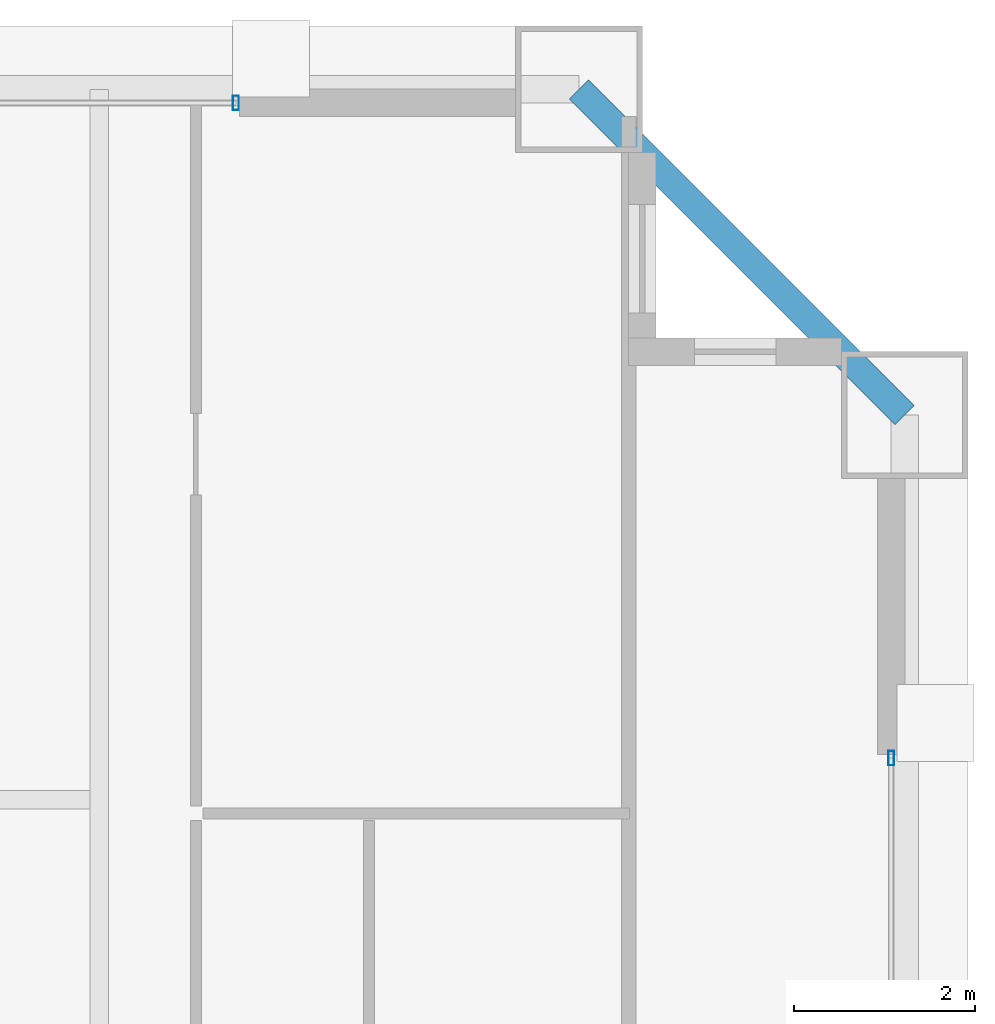
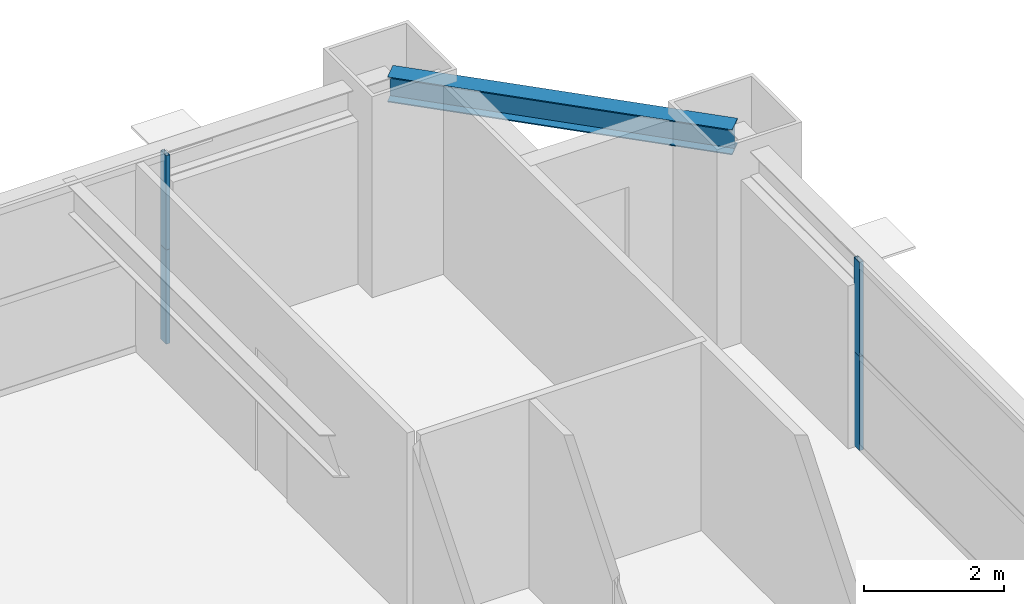
# One storey, part 31 of 38: 4 members, 1 beam, 2 elements without a shape of their own.
"""IFC4 building model written with IfcOpenShell, lengths in metres."""

from ifc_helpers import new_model, si_unit, direction, frame, origin, origin_2d, place, context, subcontext, project, spatial, hollow_rectangle, i_section, extrude, source, transform, mapped, material, layer, layer_set, material_profile, profile_set, type_object, element, aggregate, save


model = new_model("IFC4")

# Units and contexts
model_context = context("Model", 3, precision=1e-05, world=origin(), true_north=direction((0.0, 1.0)))
body_context = subcontext(model_context, "Body", "Model", "MODEL_VIEW")
ifc_project = project(units=[si_unit("LENGTHUNIT", "METRE"), si_unit("AREAUNIT", "SQUARE_METRE"), si_unit("VOLUMEUNIT", "CUBIC_METRE"), si_unit("PLANEANGLEUNIT", "RADIAN"), si_unit("MASSUNIT", "GRAM", prefix="KILO"), si_unit("THERMODYNAMICTEMPERATUREUNIT", "KELVIN"), si_unit("POWERUNIT", "WATT")], contexts=[model_context])

# Site, building, storey
site_placement = place(None, origin())
site = spatial("IfcSite", under=ifc_project, at=site_placement, CompositionType="ELEMENT")
building_placement = place(site_placement, origin())
building = spatial("IfcBuilding", under=site, at=building_placement, Name="Yuzanri Waterfront Tower", CompositionType="ELEMENT")
storey_placement = place(building_placement, frame((0.0, 0.0, 209.0)))
storey = spatial("IfcBuildingStorey", under=building, at=storey_placement, Name="L55", CompositionType="ELEMENT", Elevation=209.0)

# Beam
ifc_material_1 = material(Name="Steel Q355B", Category="steel")
ifc_material_profile_1 = material_profile(ifc_material_1, i_section(OverallWidth=0.300048828125, OverallDepth=0.43994140625, WebThickness=0.010986328125, FlangeThickness=0.01806640625, at=origin_2d()), Name="HM 440x300x11x18")
ifc_profile_set_1 = profile_set([ifc_material_profile_1], Name="Steel Q355B")
beam_type = type_object("IfcBeamType", Name="Perimeter Spandrel Q355B HM 440x300", PredefinedType="SPANDREL", material=ifc_profile_set_1)
shared_shape_1 = source(origin(), body_context, "Body", "SweptSolid", [
    extrude(i_section(OverallWidth=0.300048828125, OverallDepth=0.43994140625, WebThickness=0.010986328125, FlangeThickness=0.01806640625, at=origin_2d()), origin(), (0.0, 0.0, 1.0), 5.091064453125),
])
beam_placement = place(storey_placement, frame((59.10009765625, 44.300048828125, 3.06005859375), z_axis=(-0.707130757816, 0.707082803744, 0.0), x_axis=(-0.707082803744, -0.707130757816, 0.0)))
element("IfcBeam", 1, at=beam_placement, inside=storey, type_object=beam_type, Name="L55 Perimeter Spandrel E3-N3", PredefinedType="SPANDREL", context=body_context, shape_type="MappedRepresentation", body=[
    mapped(shared_shape_1, transform((0.0, 0.0, 0.0), scale=1.0)),
])

# Curtain wall, members
ifc_material_2 = material(Name="Anodized Architectural Bronze", Category="metal")
ifc_layer = layer(ifc_material_2, 0.159912109375)
ifc_layer_set = layer_set([ifc_layer], Name="Anodized Architectural Bronze")
curtain_wall_type = type_object("IfcCurtainWallType", Name="Anodized Bronze Mid-Rise Residential Acoustic Unitized Curtain Wall 7200", PredefinedType="NOTDEFINED", material=ifc_layer_set)
curtain_wall_1_placement = place(storey_placement, origin())
curtain_wall_1 = element("IfcCurtainWall", 2, at=curtain_wall_1_placement, inside=storey, type_object=curtain_wall_type, Name="L55 Curtain Wall CW-L55-NR", PredefinedType="NOTDEFINED")
ifc_material_3 = material(Name="Anodized Architectural Bronze", Category="metal")
ifc_material_profile_2 = material_profile(ifc_material_3, hollow_rectangle(XDim=0.06494140625, YDim=0.159912109375, WallThickness=0.00341796875, at=origin_2d()), Name="CWM 65x160")
ifc_profile_set_2 = profile_set([ifc_material_profile_2], Name="Anodized Architectural Bronze")
member_type = type_object("IfcMemberType", Name="Anodized Bronze Upper-Zone Curtain-Wall Mullion 65x160", PredefinedType="MULLION", material=ifc_profile_set_2)
shared_shape_2 = source(origin(), body_context, "Body", "SweptSolid", [
    extrude(hollow_rectangle(XDim=0.06494140625, YDim=0.159912109375, WallThickness=0.00341796875, at=origin_2d()), origin(), (0.0, 0.0, 1.0), 1.637939453125),
])
member_1_placement = place(storey_placement, frame((51.7099609375, 47.75, 0.0), z_axis=(0.0, 0.0, 1.0), x_axis=(1.0, 0.0, 0.0)))
member_1 = element("IfcMember", 3, at=member_1_placement, type_object=member_type, Name="CW-L55-NR Lower Mullion 02", PredefinedType="MULLION", context=body_context, shape_type="MappedRepresentation", body=[
    mapped(shared_shape_2, transform((0.0, 0.0, 0.0), scale=1.0)),
])
member_2_placement = place(storey_placement, frame((51.7099609375, 47.75, 1.64208984375), z_axis=(0.0, 0.0, 1.0), x_axis=(1.0, 0.0, 0.0)))
member_2 = element("IfcMember", 4, at=member_2_placement, type_object=member_type, Name="CW-L55-NR Upper Mullion 02", PredefinedType="MULLION", context=body_context, shape_type="MappedRepresentation", body=[
    mapped(shared_shape_2, transform((0.0, 0.0, 0.0), scale=1.0)),
])
aggregate(curtain_wall_1, [member_1, member_2])

curtain_wall_2_placement = place(storey_placement, origin())
curtain_wall_2 = element("IfcCurtainWall", 5, at=curtain_wall_2_placement, inside=storey, type_object=curtain_wall_type, Name="L55 Curtain Wall CW-L55-ER", PredefinedType="NOTDEFINED")
member_3_placement = place(storey_placement, frame((58.949951171875, 40.510009765625, 0.0), z_axis=(0.0, 0.0, 1.0), x_axis=(1.0, 0.0, 0.0)))
member_3 = element("IfcMember", 6, at=member_3_placement, type_object=member_type, Name="CW-L55-ER Lower Mullion 02", PredefinedType="MULLION", context=body_context, shape_type="MappedRepresentation", body=[
    mapped(shared_shape_2, transform((0.0, 0.0, 0.0), scale=1.0)),
])
member_4_placement = place(storey_placement, frame((58.949951171875, 40.510009765625, 1.64208984375), z_axis=(0.0, 0.0, 1.0), x_axis=(1.0, 0.0, 0.0)))
member_4 = element("IfcMember", 7, at=member_4_placement, type_object=member_type, Name="CW-L55-ER Upper Mullion 02", PredefinedType="MULLION", context=body_context, shape_type="MappedRepresentation", body=[
    mapped(shared_shape_2, transform((0.0, 0.0, 0.0), scale=1.0)),
])
aggregate(curtain_wall_2, [member_3, member_4])

save(model, "model.ifc")
